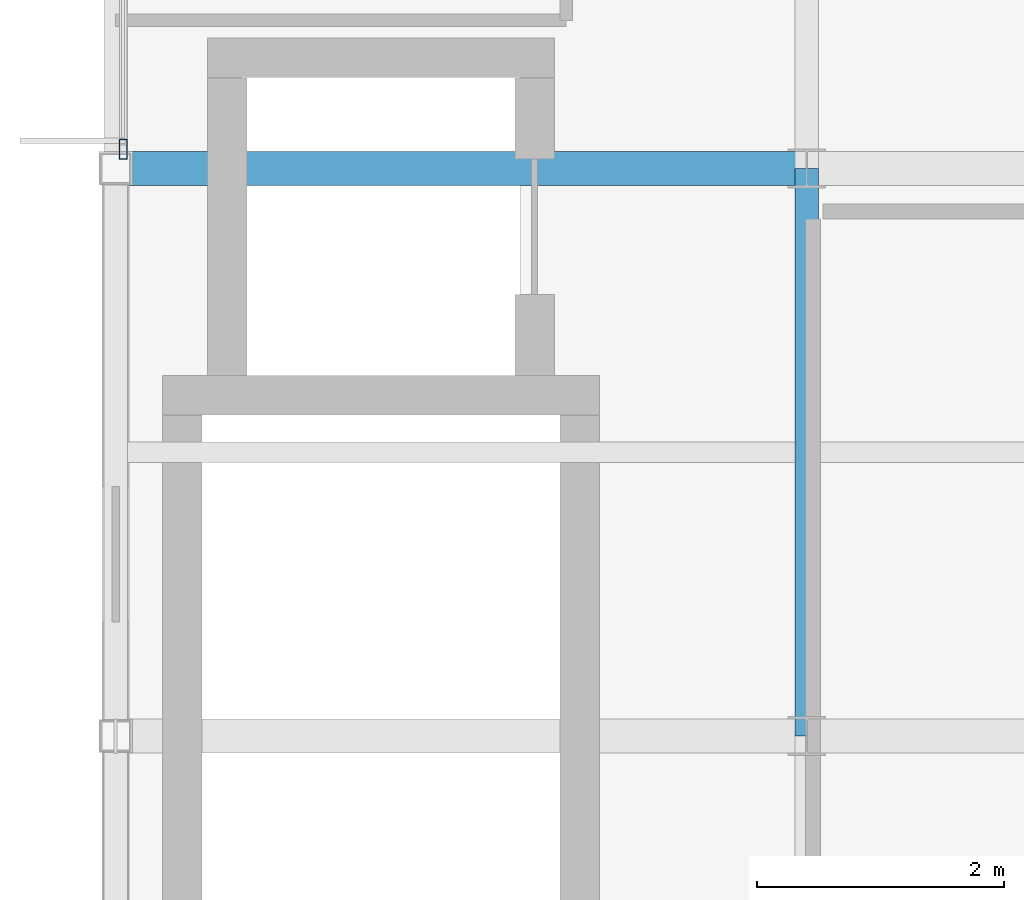
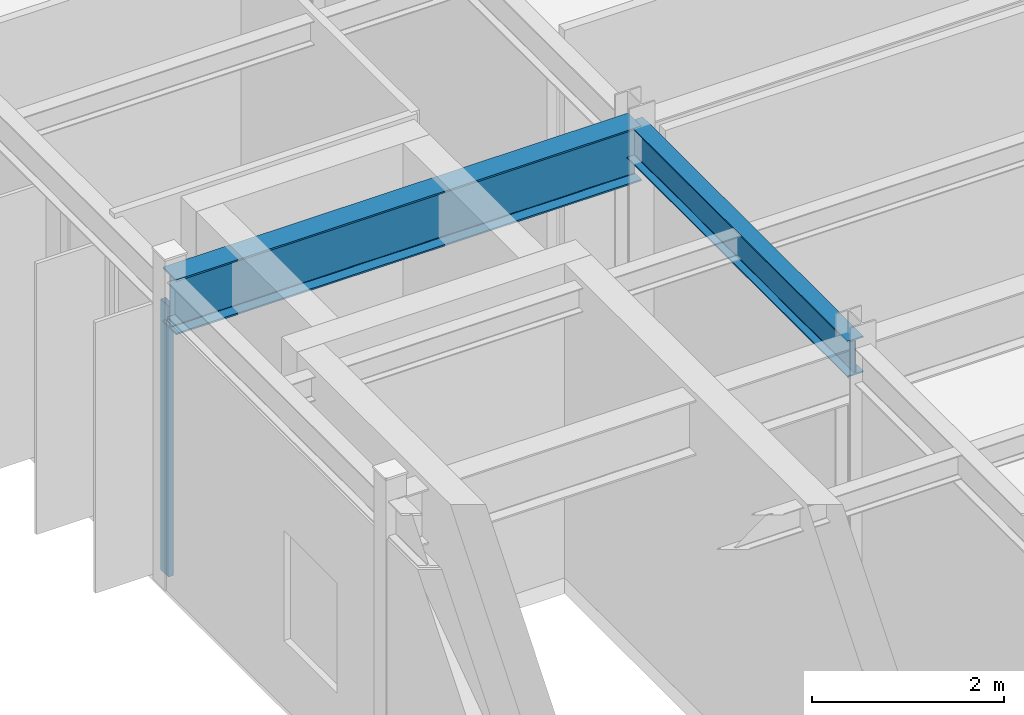
# One storey, part 29 of 130: 2 beams, 1 member, 1 element without a shape of its own.
"""IFC4 building model written with IfcOpenShell, lengths in metres."""

from ifc_helpers import new_model, si_unit, direction, frame, origin, origin_2d, place, context, subcontext, project, spatial, hollow_rectangle, i_section, extrude, material, material_profile, profile_set, type_object, element, aggregate, save


model = new_model("IFC4")

# Units and contexts
model_context = context("Model", 3, precision=1e-05, world=origin(), true_north=direction((0.0, 1.0)))
body_context = subcontext(model_context, "Body", "Model", "MODEL_VIEW")
ifc_project = project(units=[si_unit("LENGTHUNIT", "METRE"), si_unit("AREAUNIT", "SQUARE_METRE"), si_unit("VOLUMEUNIT", "CUBIC_METRE"), si_unit("PLANEANGLEUNIT", "RADIAN"), si_unit("MASSUNIT", "GRAM", prefix="KILO")], contexts=[model_context])

# Site, building, storey
site_placement = place(None, origin())
site = spatial("IfcSite", under=ifc_project, at=site_placement, CompositionType="ELEMENT")
building_placement = place(site_placement, origin())
building = spatial("IfcBuilding", under=site, at=building_placement, Name="Karori Crest Natural Sciences Institute", CompositionType="ELEMENT")
storey_placement = place(building_placement, frame((0.0, 0.0, 17.5)))
storey = spatial("IfcBuildingStorey", under=building, at=storey_placement, Name="L04", CompositionType="ELEMENT", Elevation=17.5)

# Beams
ifc_material_1 = material(Name="Structural steel AS/NZS 3679.1 Grade 350", Category="steel")
ifc_material_profile_1 = material_profile(ifc_material_1, i_section(OverallWidth=0.27490234375, OverallDepth=0.699951171875, WebThickness=0.010009765625, FlangeThickness=0.02001953125, FilletRadius=0.013916015625, at=origin_2d()), Name="700WB150")
ifc_profile_set_1 = profile_set([ifc_material_profile_1], Name="Structural steel AS/NZS 3679.1 Grade 350")
beam_type_1 = type_object("IfcBeamType", Name="BT-03", PredefinedType="BEAM", material=ifc_profile_set_1)
beam_1_placement = place(storey_placement, frame((1.800048828125, 40.39990234375, 3.570068359375), z_axis=(1.0, 0.0, 0.0), x_axis=(0.0, 1.0, 0.0)))
element("IfcBeam", 1, at=beam_1_placement, inside=storey, type_object=beam_type_1, Name="Beam B-1213", PredefinedType="BEAM", context=body_context, shape_type="SweptSolid", body=[
    extrude(i_section(OverallWidth=0.27490234375, OverallDepth=0.699951171875, WebThickness=0.010009765625, FlangeThickness=0.02001953125, FilletRadius=0.013916015625, at=origin_2d()), origin(), (0.0, 0.0, 1.0), 5.599853515625),
])
ifc_material_profile_2 = material_profile(ifc_material_1, i_section(OverallWidth=0.19091796875, OverallDepth=0.4599609375, WebThickness=0.010009765625, FlangeThickness=0.01611328125, FilletRadius=0.010986328125, at=origin_2d()), Name="460UB82.1")
ifc_profile_set_2 = profile_set([ifc_material_profile_2], Name="Structural steel AS/NZS 3679.1 Grade 350")
beam_type_2 = type_object("IfcBeamType", Name="BT-06", PredefinedType="BEAM", material=ifc_profile_set_2)
beam_2_placement = place(storey_placement, frame((7.39990234375, 35.800048828125, 3.68994140625), z_axis=(0.0, 1.0, 0.0), x_axis=(-1.0, 0.0, 0.0)))
element("IfcBeam", 2, at=beam_2_placement, inside=storey, type_object=beam_type_2, Name="Beam B-1227", PredefinedType="BEAM", context=body_context, shape_type="SweptSolid", body=[
    extrude(i_section(OverallWidth=0.19091796875, OverallDepth=0.4599609375, WebThickness=0.010009765625, FlangeThickness=0.01611328125, FilletRadius=0.010986328125, at=origin_2d()), origin(), (0.0, 0.0, 1.0), 4.599853515625),
])

# Curtain wall, member
ifc_material_2 = material(Name="Anodised architectural aluminium 6063-T6", Category="aluminium")
curtain_wall_type = type_object("IfcCurtainWallType", Name="CWT-17", PredefinedType="NOTDEFINED", material=ifc_material_2)
curtain_wall_placement = place(storey_placement, origin())
curtain_wall = element("IfcCurtainWall", 3, at=curtain_wall_placement, inside=storey, type_object=curtain_wall_type, Name="Curtain wall CW-0286", PredefinedType="NOTDEFINED")
ifc_material_profile_3 = material_profile(ifc_material_2, hollow_rectangle(XDim=0.06494140625, YDim=0.159912109375, WallThickness=0.00390625, at=origin_2d()), Name="CWM160x65x4")
ifc_profile_set_3 = profile_set([ifc_material_profile_3], Name="Anodised architectural aluminium 6063-T6")
member_type = type_object("IfcMemberType", Name="CWM-01", PredefinedType="MULLION", material=ifc_profile_set_3)
member_placement = place(storey_placement, frame((1.860107421875, 40.555419921875, 0.0), z_axis=(0.0, 0.0, 1.0), x_axis=(-1.0, 0.0, 0.0)))
member = element("IfcMember", 4, at=member_placement, type_object=member_type, Name="CW-0286 mullion 1", PredefinedType="MULLION", context=body_context, shape_type="SweptSolid", body=[
    extrude(hollow_rectangle(XDim=0.06494140625, YDim=0.159912109375, WallThickness=0.00390625, at=origin_2d()), origin(), (0.0, 0.0, 1.0), 3.445068359375),
])
aggregate(curtain_wall, [member])

save(model, "model.ifc")
